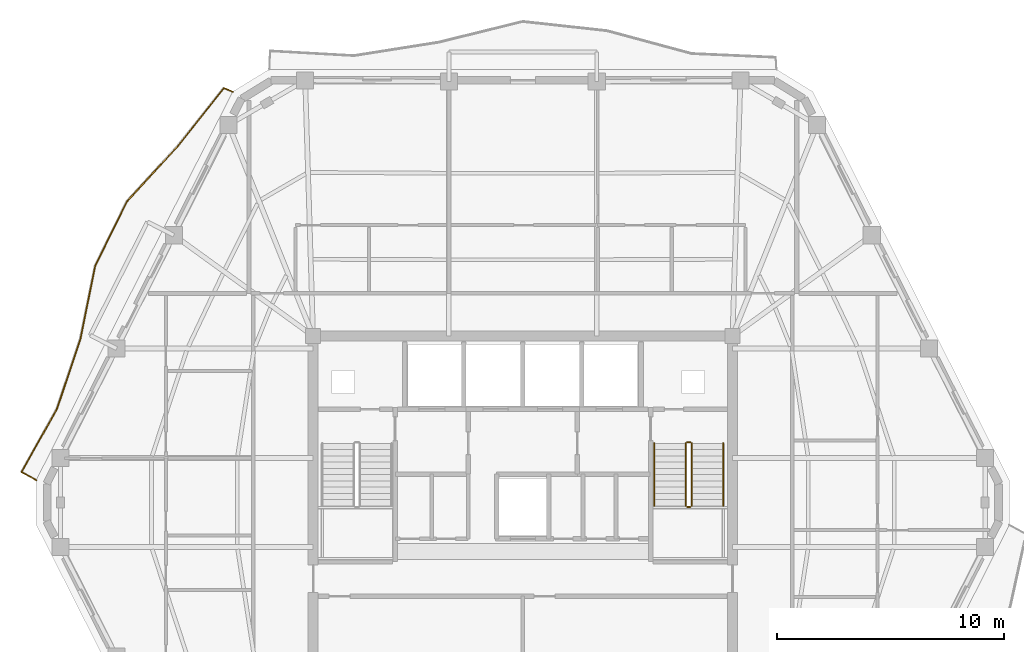
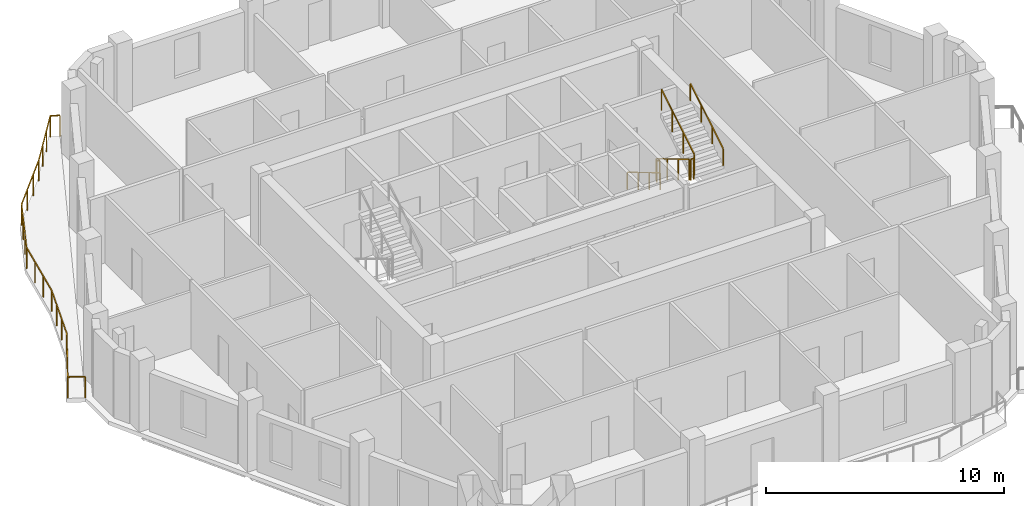
# One storey, part 10 of 11: 7 railings.
"""IFC4 building model written with IfcOpenShell, lengths in metres."""

from ifc_helpers import new_model, si_unit, direction, frame, origin, origin_2d, place, context, subcontext, project, spatial, rectangle, extrude, material, type_object, element, save


model = new_model("IFC4")

# Units and contexts
model_context = context("Model", 3, precision=1e-05, world=origin(), true_north=direction((0.0, 1.0)))
body_context = subcontext(model_context, "Body", "Model", "MODEL_VIEW")
ifc_project = project(units=[si_unit("LENGTHUNIT", "METRE"), si_unit("AREAUNIT", "SQUARE_METRE"), si_unit("VOLUMEUNIT", "CUBIC_METRE"), si_unit("PLANEANGLEUNIT", "RADIAN"), si_unit("MASSUNIT", "GRAM", prefix="KILO")], contexts=[model_context])

# Site, building, storey
site_placement = place(None, origin())
site = spatial("IfcSite", under=ifc_project, at=site_placement, CompositionType="ELEMENT")
building_placement = place(site_placement, origin())
building = spatial("IfcBuilding", under=site, at=building_placement, Name="Cinnabar Lancet Tower", CompositionType="ELEMENT")
storey_placement = place(building_placement, frame((0.0, 0.0, 230.64990234375)))
storey = spatial("IfcBuildingStorey", under=building, at=storey_placement, Name="L61", CompositionType="ELEMENT", Elevation=230.64990234375)

# Railings
ifc_material_1 = material(Name="Laminated safety glass and bronze stainless steel balustrade", Category="steel")
railing_type_1 = type_object("IfcRailingType", Name="ENV-RLG-BAL-1100", PredefinedType="BALUSTRADE", material=ifc_material_1)
railing_1_placement = place(storey_placement, frame((19.638916015625, 43.867919921875, 0.0)))
element("IfcRailing", 1, at=railing_1_placement, inside=storey, type_object=railing_type_1, Name="L61 Face 5 Wave Balcony Balustrade", PredefinedType="BALUSTRADE", context=body_context, shape_type="SweptSolid", body=[
    extrude(rectangle(XDim=0.048095703125, YDim=0.048095703125, at=origin_2d()), frame((0.0, 0.0, 1.076171875), z_axis=(-0.924824144788, 0.380394927958, 0.0), x_axis=(-0.380394927958, -0.924824144788, 0.0)), (0.0, 0.0, 1.0), 0.415283203125),
    extrude(rectangle(XDim=0.048095703125, YDim=0.048095703125, at=origin_2d()), frame((-0.384033203125, 0.157958984375, 1.076171875), z_axis=(-0.621949941315, -0.783057003352, 0.0), x_axis=(0.783057003352, -0.621949941315, 0.0)), (0.0, 0.0, 1.0), 3.24755859375),
    extrude(rectangle(XDim=0.048095703125, YDim=0.048095703125, at=origin_2d()), frame((-2.40380859375, -2.385009765625, 1.076171875), z_axis=(-0.676717271568, -0.73624298595, 0.0), x_axis=(0.73624298595, -0.676717271568, 0.0)), (0.0, 0.0, 1.0), 3.3056640625),
    extrude(rectangle(XDim=0.048095703125, YDim=0.048095703125, at=origin_2d()), frame((-4.640869140625, -4.81884765625, 1.076171875), z_axis=(-0.44254190549, -0.896747825136, 0.0), x_axis=(0.896747825136, -0.44254190549, 0.0)), (0.0, 0.0, 1.0), 3.181640625),
    extrude(rectangle(XDim=0.048095703125, YDim=0.048095703125, at=origin_2d()), frame((-6.048828125, -7.671875, 1.076171875), z_axis=(-0.198563481155, -0.980088028675, 0.0), x_axis=(0.980088028675, -0.198563481155, 0.0)), (0.0, 0.0, 1.0), 3.298828125),
    extrude(rectangle(XDim=0.048095703125, YDim=0.048095703125, at=origin_2d()), frame((-6.703857421875, -10.905029296875, 1.076171875), z_axis=(-0.318984019959, -0.947760093595, 0.0), x_axis=(0.947760093595, -0.318984019959, 0.0)), (0.0, 0.0, 1.0), 3.2138671875),
    extrude(rectangle(XDim=0.048095703125, YDim=0.048095703125, at=origin_2d()), frame((-7.72900390625, -13.950927734375, 1.076171875), z_axis=(-0.488647729412, -0.8724811726, 0.0), x_axis=(0.8724811726, -0.488647729412, 0.0)), (0.0, 0.0, 1.0), 3.18408203125),
    extrude(rectangle(XDim=0.048095703125, YDim=0.048095703125, at=origin_2d()), frame((-9.284912109375, -16.72900390625, 1.076171875), z_axis=(0.874345104516, -0.485304685954, 0.0), x_axis=(0.485304685954, 0.874345104516, 0.0)), (0.0, 0.0, 1.0), 0.735595703125),
    extrude(rectangle(XDim=0.0419921875, YDim=0.0419921875, at=origin_2d()), origin(), (0.0, 0.0, 1.0), 1.052001953125),
    extrude(rectangle(XDim=0.0419921875, YDim=0.0419921875, at=origin_2d()), frame((-0.384033203125, 0.157958984375, 0.0)), (0.0, 0.0, 1.0), 1.052001953125),
    extrude(rectangle(XDim=0.0419921875, YDim=0.0419921875, at=origin_2d()), frame((-1.057373046875, -0.689697265625, 0.0)), (0.0, 0.0, 1.0), 1.052001953125),
    extrude(rectangle(XDim=0.0419921875, YDim=0.0419921875, at=origin_2d()), frame((-1.73046875, -1.537353515625, 0.0)), (0.0, 0.0, 1.0), 1.052001953125),
    extrude(rectangle(XDim=0.0419921875, YDim=0.0419921875, at=origin_2d()), frame((-2.40380859375, -2.385009765625, 0.0)), (0.0, 0.0, 1.0), 1.052001953125),
    extrude(rectangle(XDim=0.0419921875, YDim=0.0419921875, at=origin_2d()), frame((-3.1494140625, -3.1962890625, 0.0)), (0.0, 0.0, 1.0), 1.052001953125),
    extrude(rectangle(XDim=0.0419921875, YDim=0.0419921875, at=origin_2d()), frame((-3.895263671875, -4.007568359375, 0.0)), (0.0, 0.0, 1.0), 1.052001953125),
    extrude(rectangle(XDim=0.0419921875, YDim=0.0419921875, at=origin_2d()), frame((-4.640869140625, -4.81884765625, 0.0)), (0.0, 0.0, 1.0), 1.052001953125),
    extrude(rectangle(XDim=0.0419921875, YDim=0.0419921875, at=origin_2d()), frame((-5.110107421875, -5.769775390625, 0.0)), (0.0, 0.0, 1.0), 1.052001953125),
    extrude(rectangle(XDim=0.0419921875, YDim=0.0419921875, at=origin_2d()), frame((-5.57958984375, -6.720947265625, 0.0)), (0.0, 0.0, 1.0), 1.052001953125),
    extrude(rectangle(XDim=0.0419921875, YDim=0.0419921875, at=origin_2d()), frame((-6.048828125, -7.671875, 0.0)), (0.0, 0.0, 1.0), 1.052001953125),
    extrude(rectangle(XDim=0.0419921875, YDim=0.0419921875, at=origin_2d()), frame((-6.26708984375, -8.74951171875, 0.0)), (0.0, 0.0, 1.0), 1.052001953125),
    extrude(rectangle(XDim=0.0419921875, YDim=0.0419921875, at=origin_2d()), frame((-6.485595703125, -9.827392578125, 0.0)), (0.0, 0.0, 1.0), 1.052001953125),
    extrude(rectangle(XDim=0.0419921875, YDim=0.0419921875, at=origin_2d()), frame((-6.703857421875, -10.905029296875, 0.0)), (0.0, 0.0, 1.0), 1.052001953125),
    extrude(rectangle(XDim=0.0419921875, YDim=0.0419921875, at=origin_2d()), frame((-7.045654296875, -11.92041015625, 0.0)), (0.0, 0.0, 1.0), 1.052001953125),
    extrude(rectangle(XDim=0.0419921875, YDim=0.0419921875, at=origin_2d()), frame((-7.38720703125, -12.935546875, 0.0)), (0.0, 0.0, 1.0), 1.052001953125),
    extrude(rectangle(XDim=0.0419921875, YDim=0.0419921875, at=origin_2d()), frame((-7.72900390625, -13.950927734375, 0.0)), (0.0, 0.0, 1.0), 1.052001953125),
    extrude(rectangle(XDim=0.0419921875, YDim=0.0419921875, at=origin_2d()), frame((-8.24755859375, -14.876953125, 0.0)), (0.0, 0.0, 1.0), 1.052001953125),
    extrude(rectangle(XDim=0.0419921875, YDim=0.0419921875, at=origin_2d()), frame((-8.766357421875, -15.802978515625, 0.0)), (0.0, 0.0, 1.0), 1.052001953125),
    extrude(rectangle(XDim=0.0419921875, YDim=0.0419921875, at=origin_2d()), frame((-9.284912109375, -16.72900390625, 0.0)), (0.0, 0.0, 1.0), 1.052001953125),
    extrude(rectangle(XDim=0.0419921875, YDim=0.0419921875, at=origin_2d()), frame((-8.641845703125, -17.0859375, 0.0)), (0.0, 0.0, 1.0), 1.052001953125),
])
ifc_material_2 = material(Name="Painted galvanized steel balustrade", Category="steel")
railing_type_2 = type_object("IfcRailingType", Name="GUARD-STAIR", PredefinedType="GUARDRAIL", material=ifc_material_2)
railing_2_placement = place(storey_placement, frame((39.574951171875, 28.39990234375, 0.166015625)))
element("IfcRailing", 2, at=railing_2_placement, inside=storey, type_object=railing_type_2, Name="L61 ST-2 stair guard 1", PredefinedType="GUARDRAIL", context=body_context, shape_type="SweptSolid", body=[
    extrude(rectangle(XDim=0.048095703125, YDim=0.048095703125, at=origin_2d()), frame((0.0, 0.0, 1.076171875), z_axis=(0.0, -0.856229400918, 0.51659579267), x_axis=(1.0, 0.0, 0.0)), (0.0, 0.0, 1.0), 3.211669921875),
    extrude(rectangle(XDim=0.0419921875, YDim=0.0419921875, at=origin_2d()), origin(), (0.0, 0.0, 1.0), 1.052001953125),
    extrude(rectangle(XDim=0.0419921875, YDim=0.0419921875, at=origin_2d()), frame((0.0, -0.916748046875, 0.552978515625)), (0.0, 0.0, 1.0), 1.052001953125),
    extrude(rectangle(XDim=0.0419921875, YDim=0.0419921875, at=origin_2d()), frame((0.0, -1.833251953125, 1.106201171875)), (0.0, 0.0, 1.0), 1.052001953125),
    extrude(rectangle(XDim=0.0419921875, YDim=0.0419921875, at=origin_2d()), frame((0.0, -2.75, 1.6591796875)), (0.0, 0.0, 1.0), 1.052001953125),
])
railing_3_placement = place(storey_placement, frame((39.625, 25.60009765625, 1.8251953125)))
element("IfcRailing", 3, at=railing_3_placement, inside=storey, type_object=railing_type_2, Name="L61 ST-2 stair guard 2", PredefinedType="GUARDRAIL", context=body_context, shape_type="SweptSolid", body=[
    extrude(rectangle(XDim=0.048095703125, YDim=0.048095703125, at=origin_2d()), frame((0.0, 0.0, 1.076171875), z_axis=(1.0, 0.0, 0.0), x_axis=(0.0, 1.0, 0.0)), (0.0, 0.0, 1.0), 0.14990234375),
    extrude(rectangle(XDim=0.0419921875, YDim=0.0419921875, at=origin_2d()), origin(), (0.0, 0.0, 1.0), 1.052001953125),
    extrude(rectangle(XDim=0.0419921875, YDim=0.0419921875, at=origin_2d()), frame((0.14990234375, 0.0, 0.0)), (0.0, 0.0, 1.0), 1.052001953125),
])
railing_4_placement = place(storey_placement, frame((39.824951171875, 25.64990234375, 1.990966796875)))
element("IfcRailing", 4, at=railing_4_placement, inside=storey, type_object=railing_type_2, Name="L61 ST-2 stair guard 3", PredefinedType="GUARDRAIL", context=body_context, shape_type="SweptSolid", body=[
    extrude(rectangle(XDim=0.048095703125, YDim=0.048095703125, at=origin_2d()), frame((0.0, 0.0, 1.076171875), z_axis=(0.0, 0.856229400918, 0.51659579267), x_axis=(-1.0, 0.0, 0.0)), (0.0, 0.0, 1.0), 3.211669921875),
    extrude(rectangle(XDim=0.0419921875, YDim=0.0419921875, at=origin_2d()), origin(), (0.0, 0.0, 1.0), 1.052001953125),
    extrude(rectangle(XDim=0.0419921875, YDim=0.0419921875, at=origin_2d()), frame((0.0, 0.916748046875, 0.552978515625)), (0.0, 0.0, 1.0), 1.052001953125),
    extrude(rectangle(XDim=0.0419921875, YDim=0.0419921875, at=origin_2d()), frame((0.0, 1.833251953125, 1.106201171875)), (0.0, 0.0, 1.0), 1.052001953125),
    extrude(rectangle(XDim=0.0419921875, YDim=0.0419921875, at=origin_2d()), frame((0.0, 2.75, 1.6591796875)), (0.0, 0.0, 1.0), 1.052001953125),
])
railing_5_placement = place(storey_placement, frame((39.625, 28.449951171875, 0.0)))
element("IfcRailing", 5, at=railing_5_placement, inside=storey, type_object=railing_type_2, Name="L61 ST-2 stair guard 4", PredefinedType="GUARDRAIL", context=body_context, shape_type="SweptSolid", body=[
    extrude(rectangle(XDim=0.048095703125, YDim=0.048095703125, at=origin_2d()), frame((0.0, 0.0, 1.076171875), z_axis=(1.0, 0.0, 0.0), x_axis=(0.0, 1.0, 0.0)), (0.0, 0.0, 1.0), 0.14990234375),
    extrude(rectangle(XDim=0.0419921875, YDim=0.0419921875, at=origin_2d()), origin(), (0.0, 0.0, 1.0), 1.052001953125),
    extrude(rectangle(XDim=0.0419921875, YDim=0.0419921875, at=origin_2d()), frame((0.14990234375, 0.0, 0.0)), (0.0, 0.0, 1.0), 1.052001953125),
])
ifc_material_3 = material(Name="Brushed stainless steel handrail", Category="steel")
railing_type_3 = type_object("IfcRailingType", Name="HANDRAIL-STAIR", PredefinedType="HANDRAIL", material=ifc_material_3)
railing_6_placement = place(storey_placement, frame((38.175048828125, 28.39990234375, 0.166015625)))
element("IfcRailing", 6, at=railing_6_placement, inside=storey, type_object=railing_type_3, Name="L61 ST-2 stair handrail 1", PredefinedType="HANDRAIL", context=body_context, shape_type="SweptSolid", body=[
    extrude(rectangle(XDim=0.048095703125, YDim=0.048095703125, at=origin_2d()), frame((0.0, 0.0, 0.8759765625), z_axis=(0.0, -0.856229400918, 0.51659579267), x_axis=(1.0, 0.0, 0.0)), (0.0, 0.0, 1.0), 3.211669921875),
    extrude(rectangle(XDim=0.0419921875, YDim=0.0419921875, at=origin_2d()), origin(), (0.0, 0.0, 1.0), 0.851806640625),
    extrude(rectangle(XDim=0.0419921875, YDim=0.0419921875, at=origin_2d()), frame((0.0, -0.916748046875, 0.552978515625)), (0.0, 0.0, 1.0), 0.851806640625),
    extrude(rectangle(XDim=0.0419921875, YDim=0.0419921875, at=origin_2d()), frame((0.0, -1.833251953125, 1.106201171875)), (0.0, 0.0, 1.0), 0.851806640625),
    extrude(rectangle(XDim=0.0419921875, YDim=0.0419921875, at=origin_2d()), frame((0.0, -2.75, 1.6591796875)), (0.0, 0.0, 1.0), 0.851806640625),
])
railing_7_placement = place(storey_placement, frame((41.22509765625, 25.64990234375, 1.990966796875)))
element("IfcRailing", 7, at=railing_7_placement, inside=storey, type_object=railing_type_3, Name="L61 ST-2 stair handrail 2", PredefinedType="HANDRAIL", context=body_context, shape_type="SweptSolid", body=[
    extrude(rectangle(XDim=0.048095703125, YDim=0.048095703125, at=origin_2d()), frame((0.0, 0.0, 0.8759765625), z_axis=(0.0, 0.856229400918, 0.51659579267), x_axis=(-1.0, 0.0, 0.0)), (0.0, 0.0, 1.0), 3.211669921875),
    extrude(rectangle(XDim=0.0419921875, YDim=0.0419921875, at=origin_2d()), origin(), (0.0, 0.0, 1.0), 0.851806640625),
    extrude(rectangle(XDim=0.0419921875, YDim=0.0419921875, at=origin_2d()), frame((0.0, 0.916748046875, 0.552978515625)), (0.0, 0.0, 1.0), 0.851806640625),
    extrude(rectangle(XDim=0.0419921875, YDim=0.0419921875, at=origin_2d()), frame((0.0, 1.833251953125, 1.106201171875)), (0.0, 0.0, 1.0), 0.851806640625),
    extrude(rectangle(XDim=0.0419921875, YDim=0.0419921875, at=origin_2d()), frame((0.0, 2.75, 1.6591796875)), (0.0, 0.0, 1.0), 0.851806640625),
])

save(model, "model.ifc")
